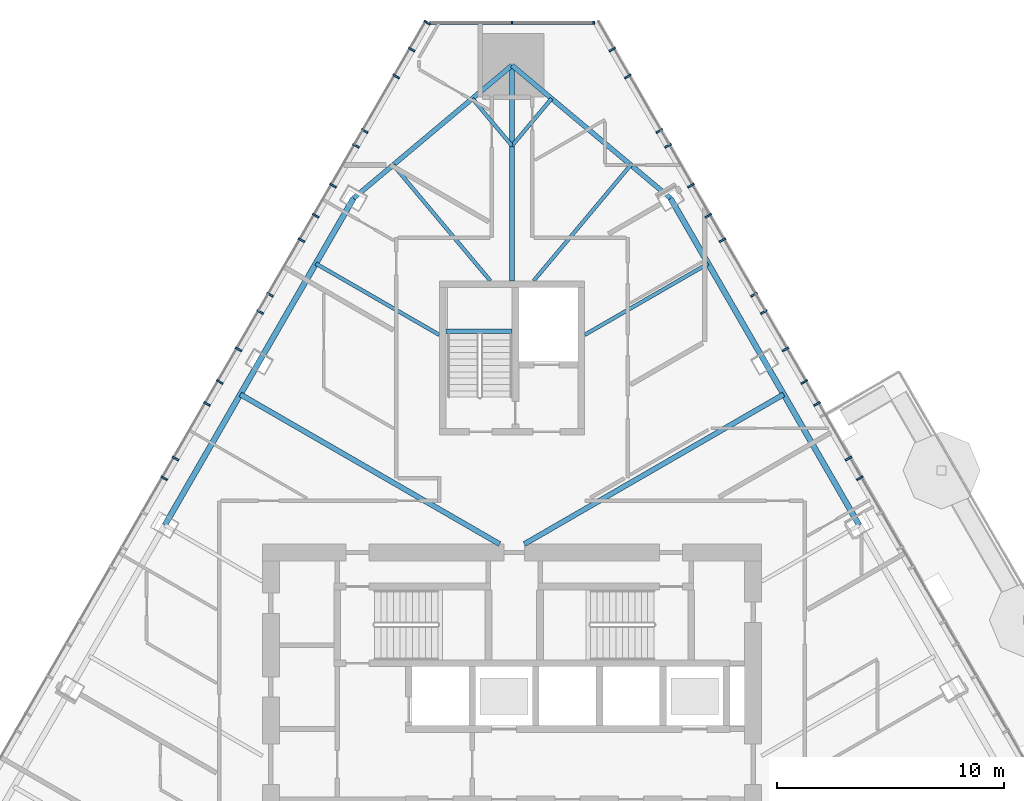
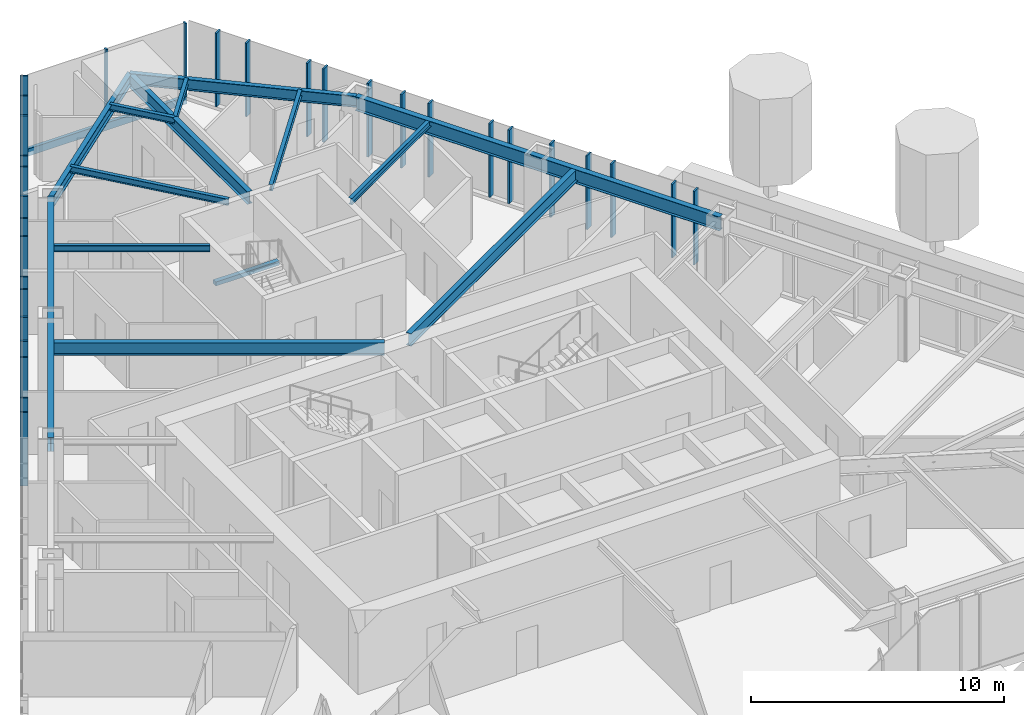
# One storey, part 6 of 18: 32 members, 14 beams, 3 elements without a shape of their own.
"""IFC4 building model written with IfcOpenShell, lengths in metres."""

from ifc_helpers import new_model, si_unit, direction, frame, origin, origin_2d, place, context, subcontext, project, spatial, rectangle, i_section, extrude, material, layer, layer_set, material_profile, profile_set, type_object, element, aggregate, save


model = new_model("IFC4")

# Units and contexts
model_context = context("Model", 3, precision=1e-05, world=origin(), true_north=direction((0.0, 1.0)))
body_context = subcontext(model_context, "Body", "Model", "MODEL_VIEW")
ifc_project = project(units=[si_unit("LENGTHUNIT", "METRE"), si_unit("AREAUNIT", "SQUARE_METRE"), si_unit("VOLUMEUNIT", "CUBIC_METRE"), si_unit("PLANEANGLEUNIT", "RADIAN"), si_unit("MASSUNIT", "GRAM", prefix="KILO")], contexts=[model_context])

# Site, building, storey
site_placement = place(None, origin())
site = spatial("IfcSite", under=ifc_project, at=site_placement, CompositionType="ELEMENT")
building_placement = place(site_placement, origin())
building = spatial("IfcBuilding", under=site, at=building_placement, Name="Firuza Gate Tower and Library", CompositionType="ELEMENT")
storey_placement = place(building_placement, frame((0.0, 0.0, 226.0)))
storey = spatial("IfcBuildingStorey", under=building, at=storey_placement, Name="L53", CompositionType="ELEMENT", Elevation=226.0)

# Curtain wall, members
ifc_material_1 = material(Name="Aluminium 6063-T6", Category="aluminium")
ifc_layer_1 = layer(ifc_material_1, 0.14990234375)
ifc_layer_set_1 = layer_set([ifc_layer_1], Name="Corner curtain wall, chamfers")
curtain_wall_type_1 = type_object("IfcCurtainWallType", Name="Corner curtain wall, chamfers", PredefinedType="NOTDEFINED", material=ifc_layer_set_1)
placement = place(storey_placement, origin())
curtain_wall_1 = element("IfcCurtainWall", 1, at=placement, inside=storey, type_object=curtain_wall_type_1, Name="CW4 L53 N corner", PredefinedType="NOTDEFINED")
ifc_material_2 = material(Name="Aluminium 6063-T6", Category="aluminium")
ifc_material_profile_1 = material_profile(ifc_material_2, rectangle(XDim=0.14990234375, YDim=0.080078125, at=origin_2d()))
ifc_profile_set_1 = profile_set([ifc_material_profile_1], Name="Aluminium 6063-T6")
member_type_1 = type_object("IfcMemberType", Name="Curtain wall mullion 80x150", PredefinedType="MULLION", material=ifc_profile_set_1)
member_1_placement = place(storey_placement, frame((78.603271484375, 105.966552734375, 0.14990234375), z_axis=(0.0, 0.0, 1.0), x_axis=(0.0, -1.0, 0.0)))
member_1 = element("IfcMember", 2, at=member_1_placement, type_object=member_type_1, Name="Mullion", PredefinedType="MULLION", context=body_context, shape_type="SweptSolid", body=[
    extrude(rectangle(XDim=0.14990234375, YDim=0.080078125, at=origin_2d()), origin(), (0.0, 0.0, 1.0), 3.550048828125),
])
member_2_placement = place(storey_placement, frame((75.0, 105.966552734375, 0.14990234375), z_axis=(0.0, 0.0, 1.0), x_axis=(0.0, -1.0, 0.0)))
member_2 = element("IfcMember", 3, at=member_2_placement, type_object=member_type_1, Name="Mullion", PredefinedType="MULLION", context=body_context, shape_type="SweptSolid", body=[
    extrude(rectangle(XDim=0.14990234375, YDim=0.080078125, at=origin_2d()), origin(), (0.0, 0.0, 1.0), 3.550048828125),
])

ifc_material_3 = material(Name="Aluminium 6063-T6", Category="aluminium")
ifc_layer_2 = layer(ifc_material_3, 0.14990234375)
ifc_layer_set_2 = layer_set([ifc_layer_2], Name="Unitised curtain wall, hotel")
curtain_wall_type_2 = type_object("IfcCurtainWallType", Name="Unitised curtain wall, hotel", PredefinedType="NOTDEFINED", material=ifc_layer_set_2)
curtain_wall_2 = element("IfcCurtainWall", 4, at=placement, inside=storey, type_object=curtain_wall_type_2, Name="CW2 L53 E face", PredefinedType="NOTDEFINED")
ifc_material_4 = material(Name="Aluminium 6063-T6", Category="aluminium")
ifc_material_profile_2 = material_profile(ifc_material_4, rectangle(XDim=0.320068359375, YDim=0.080078125, at=origin_2d()))
ifc_profile_set_2 = profile_set([ifc_material_profile_2], Name="Aluminium 6063-T6")
member_type_2 = type_object("IfcMemberType", Name="Curtain wall mullion 80x320", PredefinedType="MULLION", material=ifc_profile_set_2)
member_3_placement = place(storey_placement, frame((89.826171875, 86.766845703125, 0.14990234375), z_axis=(0.0, 0.0, 1.0), x_axis=(-0.866025403784, -0.5, 0.0)))
member_3 = element("IfcMember", 5, at=member_3_placement, type_object=member_type_2, Name="Mullion", PredefinedType="MULLION", context=body_context, shape_type="SweptSolid", body=[
    extrude(rectangle(XDim=0.320068359375, YDim=0.080078125, at=origin_2d()), origin(), (0.0, 0.0, 1.0), 3.550048828125),
])
member_4_placement = place(storey_placement, frame((88.4375, 89.172119140625, 0.14990234375), z_axis=(0.0, 0.0, 1.0), x_axis=(-0.866025403784, -0.5, 0.0)))
member_4 = element("IfcMember", 6, at=member_4_placement, type_object=member_type_2, Name="Mullion", PredefinedType="MULLION", context=body_context, shape_type="SweptSolid", body=[
    extrude(rectangle(XDim=0.320068359375, YDim=0.080078125, at=origin_2d()), origin(), (0.0, 0.0, 1.0), 3.550048828125),
])
member_5_placement = place(storey_placement, frame((87.048828125, 91.577392578125, 0.14990234375), z_axis=(0.0, 0.0, 1.0), x_axis=(-0.866025403784, -0.5, 0.0)))
member_5 = element("IfcMember", 7, at=member_5_placement, type_object=member_type_2, Name="Mullion", PredefinedType="MULLION", context=body_context, shape_type="SweptSolid", body=[
    extrude(rectangle(XDim=0.320068359375, YDim=0.080078125, at=origin_2d()), origin(), (0.0, 0.0, 1.0), 3.550048828125),
])
member_6_placement = place(storey_placement, frame((85.66015625, 93.982666015625, 0.14990234375), z_axis=(0.0, 0.0, 1.0), x_axis=(-0.866025403784, -0.5, 0.0)))
member_6 = element("IfcMember", 8, at=member_6_placement, type_object=member_type_2, Name="Mullion", PredefinedType="MULLION", context=body_context, shape_type="SweptSolid", body=[
    extrude(rectangle(XDim=0.320068359375, YDim=0.080078125, at=origin_2d()), origin(), (0.0, 0.0, 1.0), 3.550048828125),
])
member_7_placement = place(storey_placement, frame((84.271484375, 96.387939453125, 0.14990234375), z_axis=(0.0, 0.0, 1.0), x_axis=(-0.866025403784, -0.5, 0.0)))
member_7 = element("IfcMember", 9, at=member_7_placement, type_object=member_type_2, Name="Mullion", PredefinedType="MULLION", context=body_context, shape_type="SweptSolid", body=[
    extrude(rectangle(XDim=0.320068359375, YDim=0.080078125, at=origin_2d()), origin(), (0.0, 0.0, 1.0), 3.550048828125),
])
member_8_placement = place(storey_placement, frame((82.8828125, 98.793212890625, 0.14990234375), z_axis=(0.0, 0.0, 1.0), x_axis=(-0.866025403784, -0.5, 0.0)))
member_8 = element("IfcMember", 10, at=member_8_placement, type_object=member_type_2, Name="Mullion", PredefinedType="MULLION", context=body_context, shape_type="SweptSolid", body=[
    extrude(rectangle(XDim=0.320068359375, YDim=0.080078125, at=origin_2d()), origin(), (0.0, 0.0, 1.0), 3.550048828125),
])
member_9_placement = place(storey_placement, frame((81.494140625, 101.198486328125, 0.14990234375), z_axis=(0.0, 0.0, 1.0), x_axis=(-0.866025403784, -0.5, 0.0)))
member_9 = element("IfcMember", 11, at=member_9_placement, type_object=member_type_2, Name="Mullion", PredefinedType="MULLION", context=body_context, shape_type="SweptSolid", body=[
    extrude(rectangle(XDim=0.320068359375, YDim=0.080078125, at=origin_2d()), origin(), (0.0, 0.0, 1.0), 3.550048828125),
])
member_10_placement = place(storey_placement, frame((80.10546875, 103.603759765625, 0.14990234375), z_axis=(0.0, 0.0, 1.0), x_axis=(-0.866025403784, -0.5, 0.0)))
member_10 = element("IfcMember", 12, at=member_10_placement, type_object=member_type_2, Name="Mullion", PredefinedType="MULLION", context=body_context, shape_type="SweptSolid", body=[
    extrude(rectangle(XDim=0.320068359375, YDim=0.080078125, at=origin_2d()), origin(), (0.0, 0.0, 1.0), 3.550048828125),
])
member_11_placement = place(storey_placement, frame((90.325439453125, 85.902587890625, 0.14990234375), z_axis=(0.0, 0.0, 1.0), x_axis=(-0.866025403784, -0.5, 0.0)))
member_11 = element("IfcMember", 13, at=member_11_placement, type_object=member_type_2, Name="Mullion", PredefinedType="MULLION", context=body_context, shape_type="SweptSolid", body=[
    extrude(rectangle(XDim=0.320068359375, YDim=0.080078125, at=origin_2d()), origin(), (0.0, 0.0, 1.0), 3.550048828125),
])
member_12_placement = place(storey_placement, frame((87.876708984375, 90.143798828125, 0.14990234375), z_axis=(0.0, 0.0, 1.0), x_axis=(-0.866025403784, -0.5, 0.0)))
member_12 = element("IfcMember", 14, at=member_12_placement, type_object=member_type_2, Name="Mullion", PredefinedType="MULLION", context=body_context, shape_type="SweptSolid", body=[
    extrude(rectangle(XDim=0.320068359375, YDim=0.080078125, at=origin_2d()), origin(), (0.0, 0.0, 1.0), 3.550048828125),
])
member_13_placement = place(storey_placement, frame((86.097412109375, 93.225341796875, 0.14990234375), z_axis=(0.0, 0.0, 1.0), x_axis=(-0.866025403784, -0.5, 0.0)))
member_13 = element("IfcMember", 15, at=member_13_placement, type_object=member_type_2, Name="Mullion", PredefinedType="MULLION", context=body_context, shape_type="SweptSolid", body=[
    extrude(rectangle(XDim=0.320068359375, YDim=0.080078125, at=origin_2d()), origin(), (0.0, 0.0, 1.0), 3.550048828125),
])
member_14_placement = place(storey_placement, frame((83.64892578125, 97.466552734375, 0.14990234375), z_axis=(0.0, 0.0, 1.0), x_axis=(-0.866025403784, -0.5, 0.0)))
member_14 = element("IfcMember", 16, at=member_14_placement, type_object=member_type_2, Name="Mullion", PredefinedType="MULLION", context=body_context, shape_type="SweptSolid", body=[
    extrude(rectangle(XDim=0.320068359375, YDim=0.080078125, at=origin_2d()), origin(), (0.0, 0.0, 1.0), 3.550048828125),
])
member_15_placement = place(storey_placement, frame((81.86962890625, 100.548095703125, 0.14990234375), z_axis=(0.0, 0.0, 1.0), x_axis=(-0.866025403784, -0.5, 0.0)))
member_15 = element("IfcMember", 17, at=member_15_placement, type_object=member_type_2, Name="Mullion", PredefinedType="MULLION", context=body_context, shape_type="SweptSolid", body=[
    extrude(rectangle(XDim=0.320068359375, YDim=0.080078125, at=origin_2d()), origin(), (0.0, 0.0, 1.0), 3.550048828125),
])
member_16_placement = place(storey_placement, frame((79.421142578125, 104.789306640625, 0.14990234375), z_axis=(0.0, 0.0, 1.0), x_axis=(-0.866025403784, -0.5, 0.0)))
member_16 = element("IfcMember", 18, at=member_16_placement, type_object=member_type_2, Name="Mullion", PredefinedType="MULLION", context=body_context, shape_type="SweptSolid", body=[
    extrude(rectangle(XDim=0.320068359375, YDim=0.080078125, at=origin_2d()), origin(), (0.0, 0.0, 1.0), 3.550048828125),
])
aggregate(curtain_wall_2, [member_3, member_4, member_5, member_6, member_7, member_8, member_9, member_10, member_11, member_12, member_13, member_14, member_15, member_16])

curtain_wall_3 = element("IfcCurtainWall", 19, at=placement, inside=storey, type_object=curtain_wall_type_2, Name="CW2 L53 W face", PredefinedType="NOTDEFINED")
member_17_placement = place(storey_placement, frame((71.26318359375, 105.974365234375, 0.14990234375), z_axis=(0.0, 0.0, 1.0), x_axis=(0.866025403784, -0.5, 0.0)))
member_17 = element("IfcMember", 20, at=member_17_placement, type_object=member_type_2, Name="Mullion", PredefinedType="MULLION", context=body_context, shape_type="SweptSolid", body=[
    extrude(rectangle(XDim=0.320068359375, YDim=0.080078125, at=origin_2d()), origin(), (0.0, 0.0, 1.0), 3.550048828125),
])
member_18_placement = place(storey_placement, frame((69.89453125, 103.603759765625, 0.14990234375), z_axis=(0.0, 0.0, 1.0), x_axis=(0.866025403784, -0.5, 0.0)))
member_18 = element("IfcMember", 21, at=member_18_placement, type_object=member_type_2, Name="Mullion", PredefinedType="MULLION", context=body_context, shape_type="SweptSolid", body=[
    extrude(rectangle(XDim=0.320068359375, YDim=0.080078125, at=origin_2d()), origin(), (0.0, 0.0, 1.0), 3.550048828125),
])
member_19_placement = place(storey_placement, frame((68.505859375, 101.198486328125, 0.14990234375), z_axis=(0.0, 0.0, 1.0), x_axis=(0.866025403784, -0.5, 0.0)))
member_19 = element("IfcMember", 22, at=member_19_placement, type_object=member_type_2, Name="Mullion", PredefinedType="MULLION", context=body_context, shape_type="SweptSolid", body=[
    extrude(rectangle(XDim=0.320068359375, YDim=0.080078125, at=origin_2d()), origin(), (0.0, 0.0, 1.0), 3.550048828125),
])
member_20_placement = place(storey_placement, frame((67.1171875, 98.793212890625, 0.14990234375), z_axis=(0.0, 0.0, 1.0), x_axis=(0.866025403784, -0.5, 0.0)))
member_20 = element("IfcMember", 23, at=member_20_placement, type_object=member_type_2, Name="Mullion", PredefinedType="MULLION", context=body_context, shape_type="SweptSolid", body=[
    extrude(rectangle(XDim=0.320068359375, YDim=0.080078125, at=origin_2d()), origin(), (0.0, 0.0, 1.0), 3.550048828125),
])
member_21_placement = place(storey_placement, frame((65.728515625, 96.387939453125, 0.14990234375), z_axis=(0.0, 0.0, 1.0), x_axis=(0.866025403784, -0.5, 0.0)))
member_21 = element("IfcMember", 24, at=member_21_placement, type_object=member_type_2, Name="Mullion", PredefinedType="MULLION", context=body_context, shape_type="SweptSolid", body=[
    extrude(rectangle(XDim=0.320068359375, YDim=0.080078125, at=origin_2d()), origin(), (0.0, 0.0, 1.0), 3.550048828125),
])
member_22_placement = place(storey_placement, frame((64.33984375, 93.982666015625, 0.14990234375), z_axis=(0.0, 0.0, 1.0), x_axis=(0.866025403784, -0.5, 0.0)))
member_22 = element("IfcMember", 25, at=member_22_placement, type_object=member_type_2, Name="Mullion", PredefinedType="MULLION", context=body_context, shape_type="SweptSolid", body=[
    extrude(rectangle(XDim=0.320068359375, YDim=0.080078125, at=origin_2d()), origin(), (0.0, 0.0, 1.0), 3.550048828125),
])
member_23_placement = place(storey_placement, frame((62.951171875, 91.577392578125, 0.14990234375), z_axis=(0.0, 0.0, 1.0), x_axis=(0.866025403784, -0.5, 0.0)))
member_23 = element("IfcMember", 26, at=member_23_placement, type_object=member_type_2, Name="Mullion", PredefinedType="MULLION", context=body_context, shape_type="SweptSolid", body=[
    extrude(rectangle(XDim=0.320068359375, YDim=0.080078125, at=origin_2d()), origin(), (0.0, 0.0, 1.0), 3.550048828125),
])
member_24_placement = place(storey_placement, frame((61.5625, 89.172119140625, 0.14990234375), z_axis=(0.0, 0.0, 1.0), x_axis=(0.866025403784, -0.5, 0.0)))
member_24 = element("IfcMember", 27, at=member_24_placement, type_object=member_type_2, Name="Mullion", PredefinedType="MULLION", context=body_context, shape_type="SweptSolid", body=[
    extrude(rectangle(XDim=0.320068359375, YDim=0.080078125, at=origin_2d()), origin(), (0.0, 0.0, 1.0), 3.550048828125),
])
member_25_placement = place(storey_placement, frame((60.173828125, 86.766845703125, 0.14990234375), z_axis=(0.0, 0.0, 1.0), x_axis=(0.866025403784, -0.5, 0.0)))
member_25 = element("IfcMember", 28, at=member_25_placement, type_object=member_type_2, Name="Mullion", PredefinedType="MULLION", context=body_context, shape_type="SweptSolid", body=[
    extrude(rectangle(XDim=0.320068359375, YDim=0.080078125, at=origin_2d()), origin(), (0.0, 0.0, 1.0), 3.550048828125),
])
member_26_placement = place(storey_placement, frame((70.578857421875, 104.789306640625, 0.14990234375), z_axis=(0.0, 0.0, 1.0), x_axis=(0.866025403784, -0.5, 0.0)))
member_26 = element("IfcMember", 29, at=member_26_placement, type_object=member_type_2, Name="Mullion", PredefinedType="MULLION", context=body_context, shape_type="SweptSolid", body=[
    extrude(rectangle(XDim=0.320068359375, YDim=0.080078125, at=origin_2d()), origin(), (0.0, 0.0, 1.0), 3.550048828125),
])
member_27_placement = place(storey_placement, frame((68.13037109375, 100.548095703125, 0.14990234375), z_axis=(0.0, 0.0, 1.0), x_axis=(0.866025403784, -0.5, 0.0)))
member_27 = element("IfcMember", 30, at=member_27_placement, type_object=member_type_2, Name="Mullion", PredefinedType="MULLION", context=body_context, shape_type="SweptSolid", body=[
    extrude(rectangle(XDim=0.320068359375, YDim=0.080078125, at=origin_2d()), origin(), (0.0, 0.0, 1.0), 3.550048828125),
])
member_28_placement = place(storey_placement, frame((66.35107421875, 97.466552734375, 0.14990234375), z_axis=(0.0, 0.0, 1.0), x_axis=(0.866025403784, -0.5, 0.0)))
member_28 = element("IfcMember", 31, at=member_28_placement, type_object=member_type_2, Name="Mullion", PredefinedType="MULLION", context=body_context, shape_type="SweptSolid", body=[
    extrude(rectangle(XDim=0.320068359375, YDim=0.080078125, at=origin_2d()), origin(), (0.0, 0.0, 1.0), 3.550048828125),
])
member_29_placement = place(storey_placement, frame((63.902587890625, 93.225341796875, 0.14990234375), z_axis=(0.0, 0.0, 1.0), x_axis=(0.866025403784, -0.5, 0.0)))
member_29 = element("IfcMember", 32, at=member_29_placement, type_object=member_type_2, Name="Mullion", PredefinedType="MULLION", context=body_context, shape_type="SweptSolid", body=[
    extrude(rectangle(XDim=0.320068359375, YDim=0.080078125, at=origin_2d()), origin(), (0.0, 0.0, 1.0), 3.550048828125),
])
member_30_placement = place(storey_placement, frame((62.123291015625, 90.143798828125, 0.14990234375), z_axis=(0.0, 0.0, 1.0), x_axis=(0.866025403784, -0.5, 0.0)))
member_30 = element("IfcMember", 33, at=member_30_placement, type_object=member_type_2, Name="Mullion", PredefinedType="MULLION", context=body_context, shape_type="SweptSolid", body=[
    extrude(rectangle(XDim=0.320068359375, YDim=0.080078125, at=origin_2d()), origin(), (0.0, 0.0, 1.0), 3.550048828125),
])
member_31_placement = place(storey_placement, frame((59.674560546875, 85.902587890625, 0.14990234375), z_axis=(0.0, 0.0, 1.0), x_axis=(0.866025403784, -0.5, 0.0)))
member_31 = element("IfcMember", 34, at=member_31_placement, type_object=member_type_2, Name="Mullion", PredefinedType="MULLION", context=body_context, shape_type="SweptSolid", body=[
    extrude(rectangle(XDim=0.320068359375, YDim=0.080078125, at=origin_2d()), origin(), (0.0, 0.0, 1.0), 3.550048828125),
])
aggregate(curtain_wall_3, [member_17, member_18, member_19, member_20, member_21, member_22, member_23, member_24, member_25, member_26, member_27, member_28, member_29, member_30, member_31])

# Member
ifc_material_5 = material(Name="Aluminium 6063-T6", Category="aluminium")
ifc_material_profile_3 = material_profile(ifc_material_5, rectangle(XDim=0.14990234375, YDim=0.35009765625, at=origin_2d()))
ifc_profile_set_3 = profile_set([ifc_material_profile_3], Name="Aluminium 6063-T6")
member_type_3 = type_object("IfcMemberType", Name="Curtain wall transom 350x150", PredefinedType="USERDEFINED", material=ifc_profile_set_3)
member_32_placement = place(storey_placement, frame((78.643310546875, 105.966552734375, -0.02490234375), z_axis=(-1.0, 0.0, 0.0), x_axis=(0.0, -1.0, 0.0)))
member_32 = element("IfcMember", 35, at=member_32_placement, type_object=member_type_3, Name="Transom", ObjectType="TRANSOM", PredefinedType="USERDEFINED", context=body_context, shape_type="SweptSolid", body=[
    extrude(rectangle(XDim=0.14990234375, YDim=0.35009765625, at=origin_2d()), origin(), (0.0, 0.0, 1.0), 7.28662109375),
])

aggregate(curtain_wall_1, [member_1, member_2, member_32])

# Beams
ifc_material_6 = material(Name="Concrete C35/45", Category="concrete")
ifc_material_profile_4 = material_profile(ifc_material_6, rectangle(XDim=0.199951171875, YDim=0.199951171875, at=origin_2d()))
ifc_profile_set_4 = profile_set([ifc_material_profile_4], Name="Concrete C35/45")
beam_type_1 = type_object("IfcBeamType", Name="Stair landing bearer 200x200", PredefinedType="BEAM", material=ifc_profile_set_4)
beam_1_placement = place(storey_placement, frame((75.0, 92.3701171875, 1.64990234375), z_axis=(-1.0, 0.0, 0.0), x_axis=(0.0, -1.0, 0.0)))
element("IfcBeam", 36, at=beam_1_placement, inside=storey, type_object=beam_type_1, Name="Landing bearer L53 stair 3", PredefinedType="BEAM", context=body_context, shape_type="SweptSolid", body=[
    extrude(rectangle(XDim=0.199951171875, YDim=0.199951171875, at=origin_2d()), origin(), (0.0, 0.0, 1.0), 2.89990234375),
])
ifc_material_7 = material(Name="Steel S355", Category="steel")
ifc_material_profile_5 = material_profile(ifc_material_7, i_section(OverallWidth=0.1650390625, OverallDepth=0.31005859375, WebThickness=0.005859375, FlangeThickness=0.009765625, at=origin_2d()))
ifc_profile_set_5 = profile_set([ifc_material_profile_5], Name="Steel S355")
beam_type_2 = type_object("IfcBeamType", Name="W310x39 Floor beam", PredefinedType="JOIST", material=ifc_profile_set_5)
beam_2_placement = place(storey_placement, frame((83.642822265625, 95.35693359375, 3.544921875), z_axis=(-0.866016100244, -0.500016113858, 0.0), x_axis=(0.500016113858, -0.866016100244, 0.0)))
element("IfcBeam", 37, at=beam_2_placement, inside=storey, type_object=beam_type_2, Name="Floor beam L53 s54", PredefinedType="JOIST", context=body_context, shape_type="SweptSolid", body=[
    extrude(i_section(OverallWidth=0.1650390625, OverallDepth=0.31005859375, WebThickness=0.005859375, FlangeThickness=0.009765625, at=origin_2d()), origin(), (0.0, 0.0, 1.0), 6.284912109375),
])
beam_3_placement = place(storey_placement, frame((80.234619140625, 99.701416015625, 3.544921875), z_axis=(-0.642615733943, -0.766188631141, 0.0), x_axis=(0.766188631141, -0.642615733943, 0.0)))
element("IfcBeam", 38, at=beam_3_placement, inside=storey, type_object=beam_type_2, Name="Floor beam L53 s60", PredefinedType="JOIST", context=body_context, shape_type="SweptSolid", body=[
    extrude(i_section(OverallWidth=0.1650390625, OverallDepth=0.31005859375, WebThickness=0.005859375, FlangeThickness=0.009765625, at=origin_2d()), origin(), (0.0, 0.0, 1.0), 6.657958984375),
])
for number, where, z_axis, x_axis, name in (
    (39, (76.744873046875, 102.628173828125, 3.544921875), (-0.642586722128, -0.766212962918, 0.0), (0.766212962918, -0.642586722128, 0.0), "Floor beam L53 s61"),
    (40, (73.255126953125, 102.628173828125, 3.544921875), (0.642586722128, -0.766212962918, 0.0), (0.766212962918, 0.642586722128, 0.0), "Floor beam L53 s70"),
):
    element("IfcBeam", number, at=place(storey_placement, frame(where, z_axis=z_axis, x_axis=x_axis)), inside=storey, type_object=beam_type_2, Name=name, PredefinedType="JOIST", context=body_context, shape_type="SweptSolid", body=[
        extrude(i_section(OverallWidth=0.1650390625, OverallDepth=0.31005859375, WebThickness=0.005859375, FlangeThickness=0.009765625, at=origin_2d()), origin(), (0.0, 0.0, 1.0), 2.71533203125),
    ])
beam_4_placement = place(storey_placement, frame((69.765380859375, 99.701416015625, 3.544921875), z_axis=(0.642615733943, -0.766188631141, 0.0), x_axis=(0.766188631141, 0.642615733943, 0.0)))
element("IfcBeam", 41, at=beam_4_placement, inside=storey, type_object=beam_type_2, Name="Floor beam L53 s71", PredefinedType="JOIST", context=body_context, shape_type="SweptSolid", body=[
    extrude(i_section(OverallWidth=0.1650390625, OverallDepth=0.31005859375, WebThickness=0.005859375, FlangeThickness=0.009765625, at=origin_2d()), origin(), (0.0, 0.0, 1.0), 6.657958984375),
])
beam_5_placement = place(storey_placement, frame((66.357177734375, 95.35693359375, 3.544921875), z_axis=(0.866016100244, -0.500016113858, 0.0), x_axis=(0.500016113858, 0.866016100244, 0.0)))
element("IfcBeam", 42, at=beam_5_placement, inside=storey, type_object=beam_type_2, Name="Floor beam L53 s80", PredefinedType="JOIST", context=body_context, shape_type="SweptSolid", body=[
    extrude(i_section(OverallWidth=0.1650390625, OverallDepth=0.31005859375, WebThickness=0.005859375, FlangeThickness=0.009765625, at=origin_2d()), origin(), (0.0, 0.0, 1.0), 6.284912109375),
])
ifc_material_8 = material(Name="Steel S355", Category="steel")
ifc_material_profile_6 = material_profile(ifc_material_8, i_section(OverallWidth=0.212890625, OverallDepth=0.5390625, WebThickness=0.01171875, FlangeThickness=0.018798828125, at=origin_2d()))
ifc_profile_set_6 = profile_set([ifc_material_profile_6], Name="Steel S355")
beam_type_3 = type_object("IfcBeamType", Name="W530x109 Edge beam", PredefinedType="SPANDREL", material=ifc_profile_set_6)
for number, where, z_axis, x_axis, name in (
    (43, (81.9794921875, 98.23828125, 3.430419921875), (-0.766218360929, 0.642580285549, 0.0), (-0.642580285549, -0.766218360929, 0.0), "Edge beam L53 e60"),
    (44, (75.0, 104.091552734375, 3.430419921875), (-0.766218360929, -0.642580285549, 0.0), (0.642580285549, -0.766218360929, 0.0), "Edge beam L53 e70"),
):
    element("IfcBeam", number, at=place(storey_placement, frame(where, z_axis=z_axis, x_axis=x_axis)), inside=storey, type_object=beam_type_3, Name=name, PredefinedType="SPANDREL", context=body_context, shape_type="SweptSolid", body=[
        extrude(i_section(OverallWidth=0.212890625, OverallDepth=0.5390625, WebThickness=0.01171875, FlangeThickness=0.018798828125, at=origin_2d()), origin(), (0.0, 0.0, 1.0), 9.109130859375),
    ])
ifc_material_9 = material(Name="Steel S355", Category="steel")
ifc_material_profile_7 = material_profile(ifc_material_9, i_section(OverallWidth=0.22802734375, OverallDepth=0.60302734375, WebThickness=0.010498046875, FlangeThickness=0.014892578125, at=origin_2d()))
ifc_profile_set_7 = profile_set([ifc_material_profile_7], Name="Steel S355")
beam_type_4 = type_object("IfcBeamType", Name="W610x101 Floor beam", PredefinedType="JOIST", material=ifc_profile_set_7)
for number, where, z_axis, x_axis, name in (
    (45, (86.969970703125, 89.59423828125, 3.3984375), (-0.866026827726, -0.499997533653, 0.0), (0.499997533653, -0.866026827726, 0.0), "Floor beam L53 s53"),
    (46, (63.030029296875, 89.59423828125, 3.3984375), (0.866026827726, -0.499997533653, 0.0), (0.499997533653, 0.866026827726, 0.0), "Floor beam L53 s81"),
):
    element("IfcBeam", number, at=place(storey_placement, frame(where, z_axis=z_axis, x_axis=x_axis)), inside=storey, type_object=beam_type_4, Name=name, PredefinedType="JOIST", context=body_context, shape_type="SweptSolid", body=[
        extrude(i_section(OverallWidth=0.22802734375, OverallDepth=0.60302734375, WebThickness=0.010498046875, FlangeThickness=0.014892578125, at=origin_2d()), origin(), (0.0, 0.0, 1.0), 13.1884765625),
    ])
ifc_material_10 = material(Name="Steel S355", Category="steel")
ifc_material_profile_8 = material_profile(ifc_material_10, i_section(OverallWidth=0.22802734375, OverallDepth=0.60302734375, WebThickness=0.010498046875, FlangeThickness=0.014892578125, at=origin_2d()))
ifc_profile_set_8 = profile_set([ifc_material_profile_8], Name="Steel S355")
beam_type_5 = type_object("IfcBeamType", Name="W610x101 Girder", PredefinedType="BEAM", material=ifc_profile_set_8)
beam_6_placement = place(storey_placement, frame((75.0, 104.091552734375, 3.3984375), z_axis=(0.0, -1.0, 0.0), x_axis=(1.0, 0.0, 0.0)))
element("IfcBeam", 47, at=beam_6_placement, inside=storey, type_object=beam_type_5, Name="Girder L53 gN", PredefinedType="BEAM", context=body_context, shape_type="SweptSolid", body=[
    extrude(i_section(OverallWidth=0.22802734375, OverallDepth=0.60302734375, WebThickness=0.010498046875, FlangeThickness=0.014892578125, at=origin_2d()), origin(), (0.0, 0.0, 1.0), 9.491455078125),
])
ifc_material_11 = material(Name="Steel S355", Category="steel")
ifc_material_profile_9 = material_profile(ifc_material_11, i_section(OverallWidth=0.2529296875, OverallDepth=0.677978515625, WebThickness=0.01171875, FlangeThickness=0.016357421875, at=origin_2d()))
ifc_profile_set_9 = profile_set([ifc_material_profile_9], Name="Steel S355")
beam_type_6 = type_object("IfcBeamType", Name="W690x125 Edge beam", PredefinedType="SPANDREL", material=ifc_profile_set_9)
for number, where, z_axis, x_axis, name in (
    (48, (90.296875, 83.831787109375, 3.361083984375), (-0.499990511393, 0.866030881965, 0.0), (-0.866030881965, -0.499990511393, 0.0), "Edge beam L53 e52"),
    (49, (68.0205078125, 98.23828125, 3.361083984375), (-0.499990511393, -0.866030881965, 0.0), (0.866030881965, -0.499990511393, 0.0), "Edge beam L53 e80"),
):
    element("IfcBeam", number, at=place(storey_placement, frame(where, z_axis=z_axis, x_axis=x_axis)), inside=storey, type_object=beam_type_6, Name=name, PredefinedType="SPANDREL", context=body_context, shape_type="SweptSolid", body=[
        extrude(i_section(OverallWidth=0.2529296875, OverallDepth=0.677978515625, WebThickness=0.01171875, FlangeThickness=0.016357421875, at=origin_2d()), origin(), (0.0, 0.0, 1.0), 16.635009765625),
    ])

save(model, "model.ifc")
